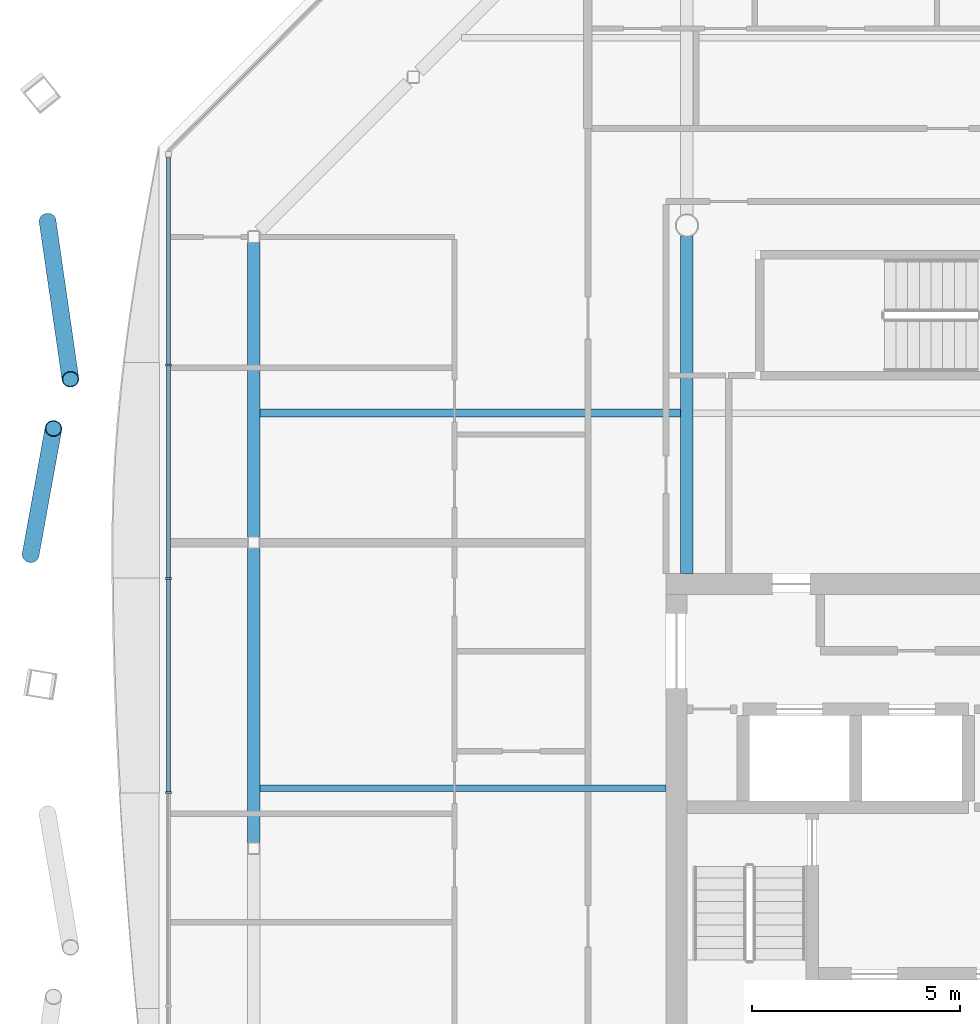
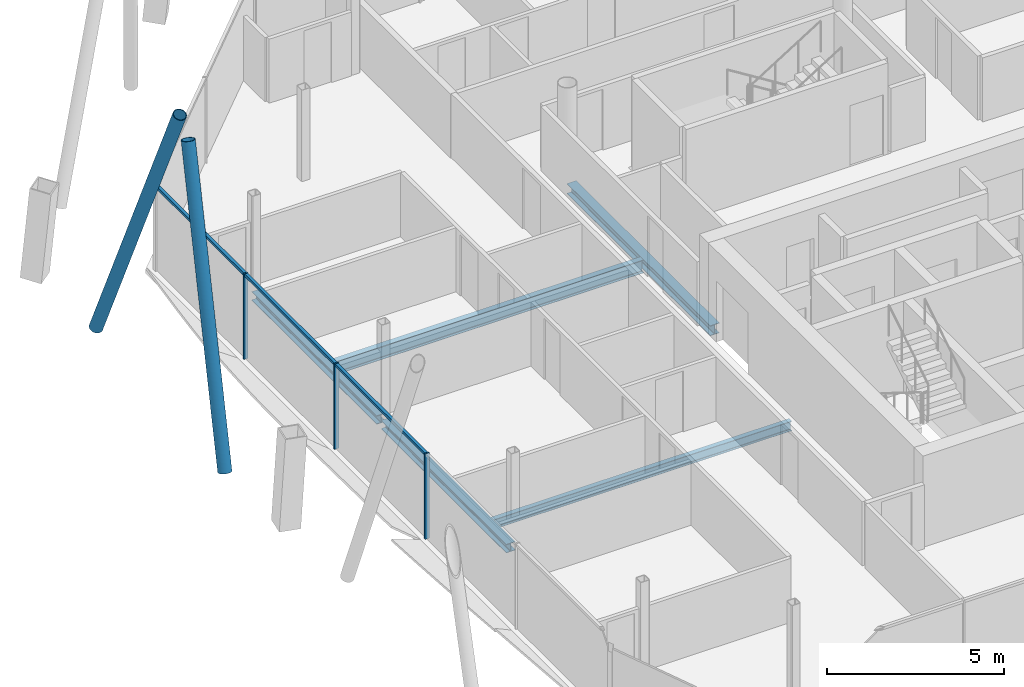
# One storey, part 6 of 17: 8 members, 5 beams, 1 element without a shape of its own.
"""IFC4 building model written with IfcOpenShell, lengths in metres."""

from ifc_helpers import new_model, si_unit, direction, frame, origin, origin_2d, place, context, subcontext, project, spatial, rectangle, hollow_circle, i_section, extrude, material, material_profile, profile_set, type_object, element, aggregate, save


model = new_model("IFC4")

# Units and contexts
model_context = context("Model", 3, precision=1e-05, world=origin(), true_north=direction((0.0, 1.0)))
body_context = subcontext(model_context, "Body", "Model", "MODEL_VIEW")
ifc_project = project(units=[si_unit("LENGTHUNIT", "METRE"), si_unit("AREAUNIT", "SQUARE_METRE"), si_unit("VOLUMEUNIT", "CUBIC_METRE"), si_unit("PLANEANGLEUNIT", "RADIAN"), si_unit("MASSUNIT", "GRAM", prefix="KILO")], contexts=[model_context])

# Site, building, storey
site_placement = place(None, origin())
site = spatial("IfcSite", under=ifc_project, at=site_placement, CompositionType="ELEMENT")
building_placement = place(site_placement, origin())
building = spatial("IfcBuilding", under=site, at=building_placement, Name="Tskaro Facet Tower", CompositionType="ELEMENT")
storey_placement = place(building_placement, frame((0.0, 0.0, 226.64990234375)))
storey = spatial("IfcBuildingStorey", under=building, at=storey_placement, Name="L58", CompositionType="ELEMENT", Elevation=226.64990234375)

# Members
ifc_material_1 = material(Name="Steel S355J2H", Category="steel")
ifc_material_profile_1 = material_profile(ifc_material_1, hollow_circle(Radius=0.203125, WallThickness=0.02001953125, at=origin_2d()), Name="CHS 406.4x20")
ifc_profile_set_1 = profile_set([ifc_material_profile_1], Name="Steel S355J2H")
member_type_1 = type_object("IfcMemberType", Name="CHS 406.4x20 brace", PredefinedType="BRACE", material=ifc_profile_set_1)
member_1_placement = place(storey_placement, frame((-24.333740234375, 9.102783203125, 0.0), z_axis=(0.053726436076, -0.371799387624, 0.926757080053), x_axis=(0.989720038732, 0.14301833775, 0.0)))
element("IfcMember", 1, at=member_1_placement, inside=storey, type_object=member_type_1, Name="CHS 406.4x20 XB10A/5", PredefinedType="BRACE", context=body_context, shape_type="SweptSolid", body=[
    extrude(hollow_circle(Radius=0.203125, WallThickness=0.02001953125, at=origin_2d()), origin(), (0.0, 0.0, 1.0), 10.197021484375),
])
member_2_placement = place(storey_placement, frame((-24.740234375, 1.109130859375, 0.0), z_axis=(0.055157645906, 0.30416554847, 0.951021005668), x_axis=(-0.983952463431, 0.178430798094, 0.0)))
element("IfcMember", 2, at=member_2_placement, inside=storey, type_object=member_type_1, Name="CHS 406.4x20 XB10B/5", PredefinedType="BRACE", context=body_context, shape_type="SweptSolid", body=[
    extrude(hollow_circle(Radius=0.203125, WallThickness=0.02001953125, at=origin_2d()), origin(), (0.0, 0.0, 1.0), 9.93701171875),
])

# Curtain wall, members
ifc_material_2 = material(Name="Bronze anodised aluminium 6063-T6", Category="aluminium")
curtain_wall_type = type_object("IfcCurtainWallType", Name="Bronze residence curtain wall (FW3)", PredefinedType="NOTDEFINED", material=ifc_material_2)
curtain_wall_placement = place(storey_placement, origin())
curtain_wall = element("IfcCurtainWall", 3, at=curtain_wall_placement, inside=storey, type_object=curtain_wall_type, Name="FW3 west facet L58", PredefinedType="NOTDEFINED")
ifc_material_profile_2 = material_profile(ifc_material_2, rectangle(XDim=0.050048828125, YDim=0.139892578125, at=origin_2d()), Name="Mullion 50x140")
ifc_profile_set_2 = profile_set([ifc_material_profile_2], Name="Bronze anodised aluminium 6063-T6")
member_type_2 = type_object("IfcMemberType", Name="FW3 bronze mullion 50x140", PredefinedType="MULLION", material=ifc_profile_set_2)
member_3_placement = place(storey_placement, frame((-21.43701171875, 5.654296875, 0.0), z_axis=(0.0, 0.0, 1.0), x_axis=(0.0, -1.0, 0.0)))
member_3 = element("IfcMember", 4, at=member_3_placement, type_object=member_type_2, Name="FW3 west mullion 1", PredefinedType="MULLION", context=body_context, shape_type="SweptSolid", body=[
    extrude(rectangle(XDim=0.050048828125, YDim=0.139892578125, at=origin_2d()), origin(), (0.0, 0.0, 1.0), 2.9501953125),
])
member_4_placement = place(storey_placement, frame((-21.43701171875, 0.52978515625, 0.0), z_axis=(0.0, 0.0, 1.0), x_axis=(0.0, -1.0, 0.0)))
member_4 = element("IfcMember", 5, at=member_4_placement, type_object=member_type_2, Name="FW3 west mullion 2", PredefinedType="MULLION", context=body_context, shape_type="SweptSolid", body=[
    extrude(rectangle(XDim=0.050048828125, YDim=0.139892578125, at=origin_2d()), origin(), (0.0, 0.0, 1.0), 2.9501953125),
])
member_5_placement = place(storey_placement, frame((-21.43701171875, -4.5947265625, 0.0), z_axis=(0.0, 0.0, 1.0), x_axis=(0.0, -1.0, 0.0)))
member_5 = element("IfcMember", 6, at=member_5_placement, type_object=member_type_2, Name="FW3 west mullion 3", PredefinedType="MULLION", context=body_context, shape_type="SweptSolid", body=[
    extrude(rectangle(XDim=0.050048828125, YDim=0.139892578125, at=origin_2d()), origin(), (0.0, 0.0, 1.0), 2.9501953125),
])
ifc_material_profile_3 = material_profile(ifc_material_2, rectangle(XDim=0.10009765625, YDim=0.090087890625, at=origin_2d()), Name="Transom 100x90")
ifc_profile_set_3 = profile_set([ifc_material_profile_3], Name="Bronze anodised aluminium 6063-T6")
member_type_3 = type_object("IfcMemberType", Name="FW3 bronze transom 100x90", PredefinedType="USERDEFINED", material=ifc_profile_set_3)
member_6_placement = place(storey_placement, frame((-21.43701171875, 10.638916015625, 2.905029296875), z_axis=(0.0, -1.0, 0.0), x_axis=(1.0, 0.0, 0.0)))
member_6 = element("IfcMember", 7, at=member_6_placement, type_object=member_type_3, Name="FW3 west transom 1.1", ObjectType="TRANSOM", PredefinedType="USERDEFINED", context=body_context, shape_type="SweptSolid", body=[
    extrude(rectangle(XDim=0.10009765625, YDim=0.090087890625, at=origin_2d()), origin(), (0.0, 0.0, 1.0), 4.95947265625),
])
member_7_placement = place(storey_placement, frame((-21.43701171875, 5.62939453125, 2.905029296875), z_axis=(0.0, -1.0, 0.0), x_axis=(1.0, 0.0, 0.0)))
member_7 = element("IfcMember", 8, at=member_7_placement, type_object=member_type_3, Name="FW3 west transom 2.1", ObjectType="TRANSOM", PredefinedType="USERDEFINED", context=body_context, shape_type="SweptSolid", body=[
    extrude(rectangle(XDim=0.10009765625, YDim=0.090087890625, at=origin_2d()), origin(), (0.0, 0.0, 1.0), 5.07470703125),
])
member_8_placement = place(storey_placement, frame((-21.43701171875, 0.5048828125, 2.905029296875), z_axis=(0.0, -1.0, 0.0), x_axis=(1.0, 0.0, 0.0)))
member_8 = element("IfcMember", 9, at=member_8_placement, type_object=member_type_3, Name="FW3 west transom 3.1", ObjectType="TRANSOM", PredefinedType="USERDEFINED", context=body_context, shape_type="SweptSolid", body=[
    extrude(rectangle(XDim=0.10009765625, YDim=0.090087890625, at=origin_2d()), origin(), (0.0, 0.0, 1.0), 5.07470703125),
])
aggregate(curtain_wall, [member_3, member_4, member_5, member_6, member_7, member_8])

# Beams
ifc_material_3 = material(Name="Steel S355J2", Category="steel")
ifc_material_profile_4 = material_profile(ifc_material_3, i_section(OverallWidth=0.300048828125, OverallDepth=0.300048828125, WebThickness=0.010986328125, FlangeThickness=0.01904296875, FilletRadius=0.027099609375, at=origin_2d()), Name="HE 300 B")
ifc_profile_set_4 = profile_set([ifc_material_profile_4], Name="Steel S355J2")
beam_type_1 = type_object("IfcBeamType", Name="HE 300 B ring beam", PredefinedType="BEAM", material=ifc_profile_set_4)
beam_1_placement = place(storey_placement, frame((-19.39111328125, 8.594970703125, -0.289794921875), z_axis=(0.0, -1.0, 0.0), x_axis=(1.0, 0.0, 0.0)))
element("IfcBeam", 10, at=beam_1_placement, inside=storey, type_object=beam_type_1, Name="HE 300 B EB14-5", PredefinedType="BEAM", context=body_context, shape_type="SweptSolid", body=[
    extrude(i_section(OverallWidth=0.300048828125, OverallDepth=0.300048828125, WebThickness=0.010986328125, FlangeThickness=0.01904296875, FilletRadius=0.027099609375, at=origin_2d()), origin(), (0.0, 0.0, 1.0), 7.071044921875),
])
beam_2_placement = place(storey_placement, frame((-19.39111328125, 1.263916015625, -0.289794921875), z_axis=(0.0, -1.0, 0.0), x_axis=(1.0, 0.0, 0.0)))
element("IfcBeam", 11, at=beam_2_placement, inside=storey, type_object=beam_type_1, Name="HE 300 B EB15-5", PredefinedType="BEAM", context=body_context, shape_type="SweptSolid", body=[
    extrude(i_section(OverallWidth=0.300048828125, OverallDepth=0.300048828125, WebThickness=0.010986328125, FlangeThickness=0.01904296875, FilletRadius=0.027099609375, at=origin_2d()), origin(), (0.0, 0.0, 1.0), 7.07080078125),
])
ifc_material_profile_5 = material_profile(ifc_material_3, i_section(OverallWidth=0.300048828125, OverallDepth=0.35009765625, WebThickness=0.010009765625, FlangeThickness=0.017578125, FilletRadius=0.027099609375, at=origin_2d()), Name="HE 360 A")
ifc_profile_set_5 = profile_set([ifc_material_profile_5], Name="Steel S355J2")
beam_type_2 = type_object("IfcBeamType", Name="HE 360 A girder", PredefinedType="BEAM", material=ifc_profile_set_5)
beam_3_placement = place(storey_placement, frame((-9.0, 0.64990234375, -0.31494140625), z_axis=(0.0, 1.0, 0.0), x_axis=(-1.0, 0.0, 0.0)))
element("IfcBeam", 12, at=beam_3_placement, inside=storey, type_object=beam_type_2, Name="HE 360 A GB3-2-5", PredefinedType="BEAM", context=body_context, shape_type="SweptSolid", body=[
    extrude(i_section(OverallWidth=0.300048828125, OverallDepth=0.35009765625, WebThickness=0.010009765625, FlangeThickness=0.017578125, FilletRadius=0.027099609375, at=origin_2d()), origin(), (0.0, 0.0, 1.0), 8.1005859375),
])
ifc_material_profile_6 = material_profile(ifc_material_3, i_section(OverallWidth=0.159912109375, OverallDepth=0.330078125, WebThickness=0.007568359375, FlangeThickness=0.011474609375, FilletRadius=0.01806640625, at=origin_2d()), Name="IPE 330")
ifc_profile_set_6 = profile_set([ifc_material_profile_6], Name="Steel S355J2")
beam_type_3 = type_object("IfcBeamType", Name="IPE 330 secondary beam", PredefinedType="BEAM", material=ifc_profile_set_6)
beam_4_placement = place(storey_placement, frame((-19.240966796875, -4.5, -0.304931640625), z_axis=(1.0, 0.0, 0.0), x_axis=(0.0, 1.0, 0.0)))
element("IfcBeam", 13, at=beam_4_placement, inside=storey, type_object=beam_type_3, Name="IPE 330 SB3a-1-5", PredefinedType="BEAM", context=body_context, shape_type="SweptSolid", body=[
    extrude(i_section(OverallWidth=0.159912109375, OverallDepth=0.330078125, WebThickness=0.007568359375, FlangeThickness=0.011474609375, FilletRadius=0.01806640625, at=origin_2d()), origin(), (0.0, 0.0, 1.0), 9.740966796875),
])
ifc_material_profile_7 = material_profile(ifc_material_3, i_section(OverallWidth=0.18994140625, OverallDepth=0.449951171875, WebThickness=0.009521484375, FlangeThickness=0.0146484375, FilletRadius=0.02099609375, at=origin_2d()), Name="IPE 450")
ifc_profile_set_7 = profile_set([ifc_material_profile_7], Name="Steel S355J2")
beam_type_4 = type_object("IfcBeamType", Name="IPE 450 long secondary beam", PredefinedType="BEAM", material=ifc_profile_set_7)
beam_5_placement = place(storey_placement, frame((-19.240966796875, 4.5, -0.364990234375), z_axis=(1.0, 0.0, 0.0), x_axis=(0.0, 1.0, 0.0)))
element("IfcBeam", 14, at=beam_5_placement, inside=storey, type_object=beam_type_4, Name="IPE 450 LSB4a-1-5", PredefinedType="BEAM", context=body_context, shape_type="SweptSolid", body=[
    extrude(i_section(OverallWidth=0.18994140625, OverallDepth=0.449951171875, WebThickness=0.009521484375, FlangeThickness=0.0146484375, FilletRadius=0.02099609375, at=origin_2d()), origin(), (0.0, 0.0, 1.0), 10.091064453125),
])

save(model, "model.ifc")
